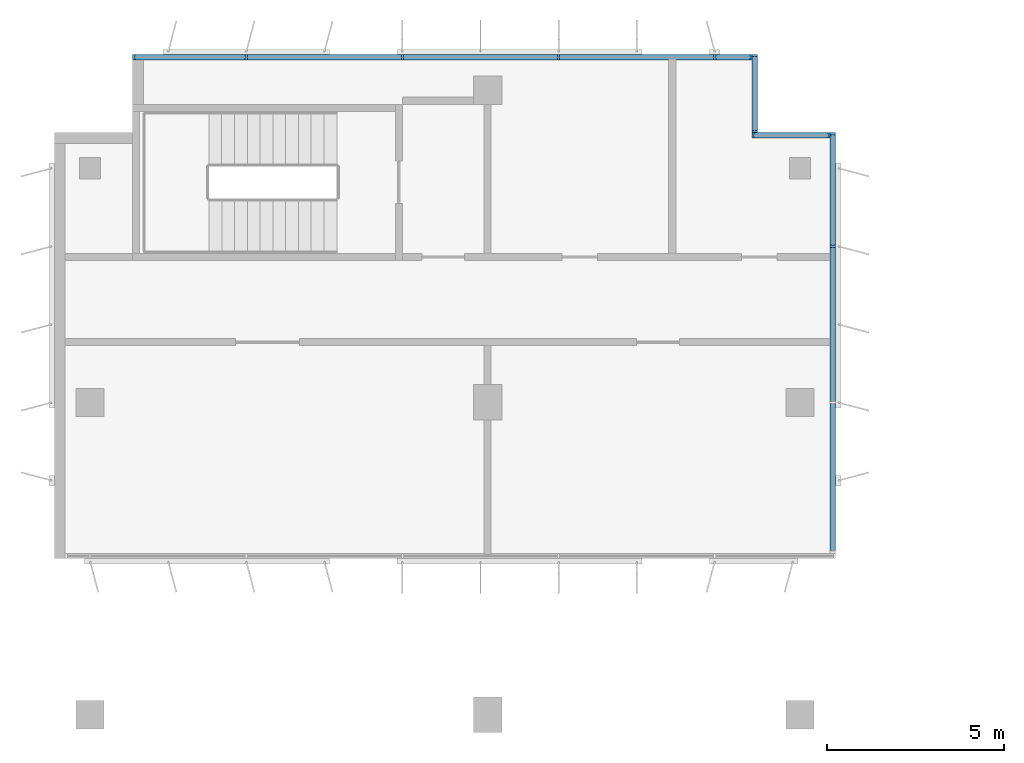
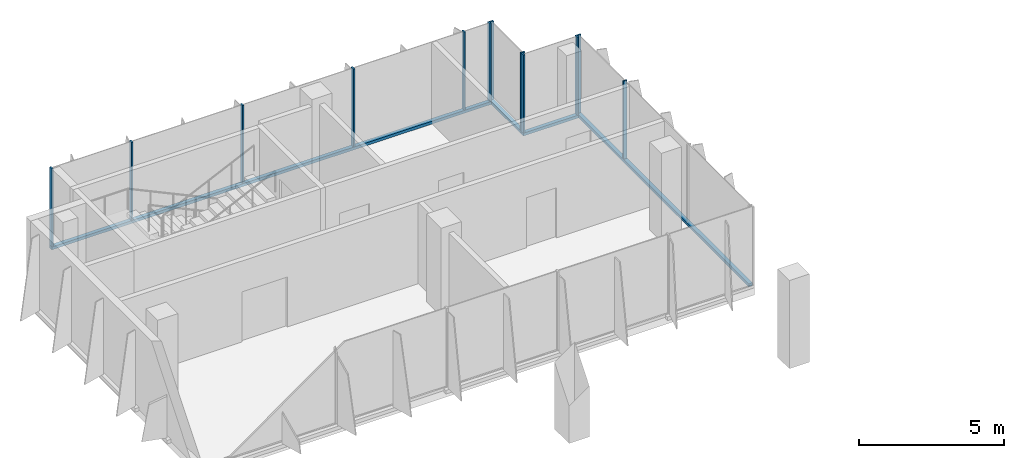
# One storey, part 5 of 14: 16 members, 4 elements without a shape of their own.
"""IFC4 building model written with IfcOpenShell, lengths in metres."""

from ifc_helpers import new_model, si_unit, direction, frame, origin, origin_2d, place, context, subcontext, project, spatial, rectangle, extrude, source, transform, mapped, material, material_profile, profile_set, type_object, element, aggregate, save


model = new_model("IFC4")

# Units and contexts
model_context = context("Model", 3, precision=1e-05, world=origin(), true_north=direction((0.0, 1.0)))
body_context = subcontext(model_context, "Body", "Model", "MODEL_VIEW")
ifc_project = project(units=[si_unit("LENGTHUNIT", "METRE"), si_unit("AREAUNIT", "SQUARE_METRE"), si_unit("VOLUMEUNIT", "CUBIC_METRE"), si_unit("PLANEANGLEUNIT", "RADIAN"), si_unit("MASSUNIT", "GRAM", prefix="KILO")], contexts=[model_context])

# Site, building, storey
site_placement = place(None, origin())
site = spatial("IfcSite", under=ifc_project, at=site_placement, CompositionType="ELEMENT")
building_placement = place(site_placement, origin())
building = spatial("IfcBuilding", under=site, at=building_placement, Name="Kemantara Hotel Tower", CompositionType="ELEMENT")
storey_placement = place(building_placement, frame((0.0, 0.0, 248.699951171875)))
storey = spatial("IfcBuildingStorey", under=building, at=storey_placement, Name="L62", CompositionType="ELEMENT", Elevation=248.699951171875)

# Curtain wall, member
ifc_material_1 = material(Name="Low-E tinted double insulated glass 36 mm", Category="glass")
curtain_wall_type = type_object("IfcCurtainWallType", Name="TOWER CURTAIN WALL, FRONT FACES", PredefinedType="USERDEFINED", material=ifc_material_1)
curtain_wall_1_placement = place(storey_placement, origin())
curtain_wall_1 = element("IfcCurtainWall", 1, at=curtain_wall_1_placement, inside=storey, type_object=curtain_wall_type, Name="CW4 L62 T4P-R13-1", ObjectType="TOWER CURTAIN WALL, FRONT FACES", PredefinedType="USERDEFINED")
ifc_material_2 = material(Name="Aluminium 6063-T6 bronze anodised", Category="aluminium")
ifc_material_profile_1 = material_profile(ifc_material_2, rectangle(XDim=0.14990234375, YDim=0.1201171875, at=origin_2d()), Name="TOWER CURTAIN WALL, FRONT FACES TRANSOM")
ifc_profile_set_1 = profile_set([ifc_material_profile_1], Name="Aluminium 6063-T6 bronze anodised")
member_type_1 = type_object("IfcMemberType", Name="TOWER CURTAIN WALL, FRONT FACES TRANSOM", PredefinedType="USERDEFINED", material=ifc_profile_set_1)
member_1_placement = place(storey_placement, frame((21.925048828125, 49.550048828125, 0.06005859375), z_axis=(0.0, 1.0, 0.0), x_axis=(-1.0, 0.0, 0.0)))
member_1 = element("IfcMember", 2, at=member_1_placement, type_object=member_type_1, Name="CW4 sill transom T4P-R13-1", ObjectType="TRANSOM", PredefinedType="USERDEFINED", context=body_context, shape_type="SweptSolid", body=[
    extrude(rectangle(XDim=0.14990234375, YDim=0.1201171875, at=origin_2d()), origin(), (0.0, 0.0, 1.0), 11.849853515625),
])

curtain_wall_2_placement = place(storey_placement, origin())
curtain_wall_2 = element("IfcCurtainWall", 3, at=curtain_wall_2_placement, inside=storey, type_object=curtain_wall_type, Name="CW4 L62 T4P-R16-1", ObjectType="TOWER CURTAIN WALL, FRONT FACES", PredefinedType="USERDEFINED")
member_2_placement = place(storey_placement, frame((19.64990234375, 63.52490234375, 0.06005859375), z_axis=(-1.0, 0.0, 0.0), x_axis=(0.0, -1.0, 0.0)))
member_2 = element("IfcMember", 4, at=member_2_placement, type_object=member_type_1, Name="CW4 sill transom T4P-R16-1", ObjectType="TRANSOM", PredefinedType="USERDEFINED", context=body_context, shape_type="SweptSolid", body=[
    extrude(rectangle(XDim=0.14990234375, YDim=0.1201171875, at=origin_2d()), origin(), (0.0, 0.0, 1.0), 17.449951171875),
])

curtain_wall_3_placement = place(storey_placement, origin())
curtain_wall_3 = element("IfcCurtainWall", 5, at=curtain_wall_3_placement, inside=storey, type_object=curtain_wall_type, Name="CW4 L62 T4P-R14-1", ObjectType="TOWER CURTAIN WALL, FRONT FACES", PredefinedType="USERDEFINED")
member_3_placement = place(storey_placement, frame((21.85009765625, 61.324951171875, 0.06005859375), z_axis=(-1.0, 0.0, 0.0), x_axis=(0.0, -1.0, 0.0)))
member_3 = element("IfcMember", 6, at=member_3_placement, type_object=member_type_1, Name="CW4 sill transom T4P-R14-1", ObjectType="TRANSOM", PredefinedType="USERDEFINED", context=body_context, shape_type="SweptSolid", body=[
    extrude(rectangle(XDim=0.14990234375, YDim=0.1201171875, at=origin_2d()), origin(), (0.0, 0.0, 1.0), 2.2001953125),
])

curtain_wall_4_placement = place(storey_placement, origin())
curtain_wall_4 = element("IfcCurtainWall", 7, at=curtain_wall_4_placement, inside=storey, type_object=curtain_wall_type, Name="CW4 L62 T4P-R15-1", ObjectType="TOWER CURTAIN WALL, FRONT FACES", PredefinedType="USERDEFINED")
member_4_placement = place(storey_placement, frame((19.72509765625, 61.39990234375, 0.06005859375), z_axis=(0.0, 1.0, 0.0), x_axis=(-1.0, 0.0, 0.0)))
member_4 = element("IfcMember", 8, at=member_4_placement, type_object=member_type_1, Name="CW4 sill transom T4P-R15-1", ObjectType="TRANSOM", PredefinedType="USERDEFINED", context=body_context, shape_type="SweptSolid", body=[
    extrude(rectangle(XDim=0.14990234375, YDim=0.1201171875, at=origin_2d()), origin(), (0.0, 0.0, 1.0), 2.2001953125),
])

# Member
ifc_material_profile_2 = material_profile(ifc_material_2, rectangle(XDim=0.14990234375, YDim=0.06005859375, at=origin_2d()), Name="TOWER CURTAIN WALL, FRONT FACES MULLION")
ifc_profile_set_2 = profile_set([ifc_material_profile_2], Name="Aluminium 6063-T6 bronze anodised")
member_type_2 = type_object("IfcMemberType", Name="TOWER CURTAIN WALL, FRONT FACES MULLION", PredefinedType="MULLION", material=ifc_profile_set_2)
shared_shape = source(origin(), body_context, "Body", "SweptSolid", [
    extrude(rectangle(XDim=0.14990234375, YDim=0.06005859375, at=origin_2d()), origin(), (0.0, 0.0, 1.0), 3.280029296875),
])
member_5_placement = place(storey_placement, frame((21.925048828125, 58.199951171875, 0.1201171875), z_axis=(0.0, 0.0, 1.0), x_axis=(-1.0, 0.0, 0.0)))
member_5 = element("IfcMember", 9, at=member_5_placement, type_object=member_type_2, Name="CW4 mullion T4P-R13-1.3", PredefinedType="MULLION", context=body_context, shape_type="MappedRepresentation", body=[
    mapped(shared_shape, transform((0.0, 0.0, 0.0))),
])

member_6_placement = place(storey_placement, frame((21.925048828125, 61.3701171875, 0.1201171875), z_axis=(0.0, 0.0, 1.0), x_axis=(-1.0, 0.0, 0.0)))
member_6 = element("IfcMember", 10, at=member_6_placement, type_object=member_type_2, Name="CW4 mullion T4P-R13-1.4", PredefinedType="MULLION", context=body_context, shape_type="MappedRepresentation", body=[
    mapped(shared_shape, transform((0.0, 0.0, 0.0))),
])

aggregate(curtain_wall_1, [member_1, member_5, member_6])

member_7_placement = place(storey_placement, frame((19.6201171875, 63.52490234375, 0.1201171875), z_axis=(0.0, 0.0, 1.0), x_axis=(0.0, -1.0, 0.0)))
member_7 = element("IfcMember", 11, at=member_7_placement, type_object=member_type_2, Name="CW4 mullion T4P-R16-1.1", PredefinedType="MULLION", context=body_context, shape_type="MappedRepresentation", body=[
    mapped(shared_shape, transform((0.0, 0.0, 0.0))),
])

member_8_placement = place(storey_placement, frame((18.60009765625, 63.52490234375, 0.1201171875), z_axis=(0.0, 0.0, 1.0), x_axis=(0.0, -1.0, 0.0)))
member_8 = element("IfcMember", 12, at=member_8_placement, type_object=member_type_2, Name="CW4 mullion T4P-R16-1.2", PredefinedType="MULLION", context=body_context, shape_type="MappedRepresentation", body=[
    mapped(shared_shape, transform((0.0, 0.0, 0.0))),
])

member_9_placement = place(storey_placement, frame((14.199951171875, 63.52490234375, 0.1201171875), z_axis=(0.0, 0.0, 1.0), x_axis=(0.0, -1.0, 0.0)))
member_9 = element("IfcMember", 13, at=member_9_placement, type_object=member_type_2, Name="CW4 mullion T4P-R16-1.3", PredefinedType="MULLION", context=body_context, shape_type="MappedRepresentation", body=[
    mapped(shared_shape, transform((0.0, 0.0, 0.0))),
])

member_10_placement = place(storey_placement, frame((9.800048828125, 63.52490234375, 0.1201171875), z_axis=(0.0, 0.0, 1.0), x_axis=(0.0, -1.0, 0.0)))
member_10 = element("IfcMember", 14, at=member_10_placement, type_object=member_type_2, Name="CW4 mullion T4P-R16-1.4", PredefinedType="MULLION", context=body_context, shape_type="MappedRepresentation", body=[
    mapped(shared_shape, transform((0.0, 0.0, 0.0))),
])

member_11_placement = place(storey_placement, frame((5.39990234375, 63.52490234375, 0.1201171875), z_axis=(0.0, 0.0, 1.0), x_axis=(0.0, -1.0, 0.0)))
member_11 = element("IfcMember", 15, at=member_11_placement, type_object=member_type_2, Name="CW4 mullion T4P-R16-1.5", PredefinedType="MULLION", context=body_context, shape_type="MappedRepresentation", body=[
    mapped(shared_shape, transform((0.0, 0.0, 0.0))),
])

member_12_placement = place(storey_placement, frame((2.22998046875, 63.52490234375, 0.1201171875), z_axis=(0.0, 0.0, 1.0), x_axis=(0.0, -1.0, 0.0)))
member_12 = element("IfcMember", 16, at=member_12_placement, type_object=member_type_2, Name="CW4 mullion T4P-R16-1.6", PredefinedType="MULLION", context=body_context, shape_type="MappedRepresentation", body=[
    mapped(shared_shape, transform((0.0, 0.0, 0.0))),
])

aggregate(curtain_wall_2, [member_2, member_7, member_8, member_9, member_10, member_11, member_12])

member_13_placement = place(storey_placement, frame((21.820068359375, 61.324951171875, 0.1201171875), z_axis=(0.0, 0.0, 1.0), x_axis=(0.0, -1.0, 0.0)))
member_13 = element("IfcMember", 17, at=member_13_placement, type_object=member_type_2, Name="CW4 mullion T4P-R14-1.1", PredefinedType="MULLION", context=body_context, shape_type="MappedRepresentation", body=[
    mapped(shared_shape, transform((0.0, 0.0, 0.0))),
])

member_14_placement = place(storey_placement, frame((19.679931640625, 61.324951171875, 0.1201171875), z_axis=(0.0, 0.0, 1.0), x_axis=(0.0, -1.0, 0.0)))
member_14 = element("IfcMember", 18, at=member_14_placement, type_object=member_type_2, Name="CW4 mullion T4P-R14-1.2", PredefinedType="MULLION", context=body_context, shape_type="MappedRepresentation", body=[
    mapped(shared_shape, transform((0.0, 0.0, 0.0))),
])

aggregate(curtain_wall_3, [member_3, member_13, member_14])

member_15_placement = place(storey_placement, frame((19.72509765625, 61.429931640625, 0.1201171875), z_axis=(0.0, 0.0, 1.0), x_axis=(-1.0, 0.0, 0.0)))
member_15 = element("IfcMember", 19, at=member_15_placement, type_object=member_type_2, Name="CW4 mullion T4P-R15-1.1", PredefinedType="MULLION", context=body_context, shape_type="MappedRepresentation", body=[
    mapped(shared_shape, transform((0.0, 0.0, 0.0))),
])

member_16_placement = place(storey_placement, frame((19.72509765625, 63.570068359375, 0.1201171875), z_axis=(0.0, 0.0, 1.0), x_axis=(-1.0, 0.0, 0.0)))
member_16 = element("IfcMember", 20, at=member_16_placement, type_object=member_type_2, Name="CW4 mullion T4P-R15-1.2", PredefinedType="MULLION", context=body_context, shape_type="MappedRepresentation", body=[
    mapped(shared_shape, transform((0.0, 0.0, 0.0))),
])

aggregate(curtain_wall_4, [member_4, member_15, member_16])

save(model, "model.ifc")
